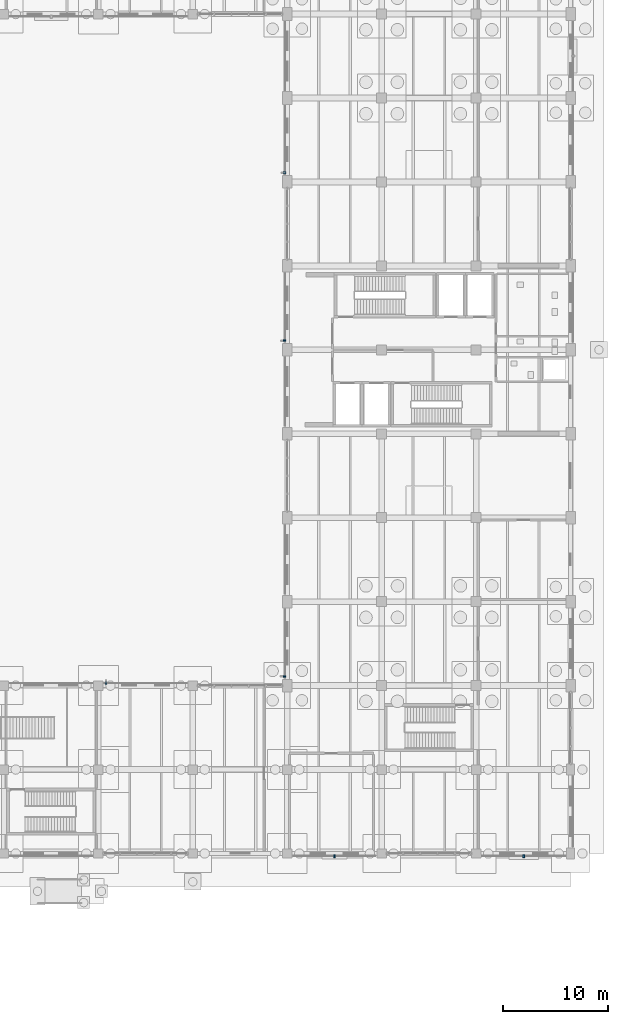
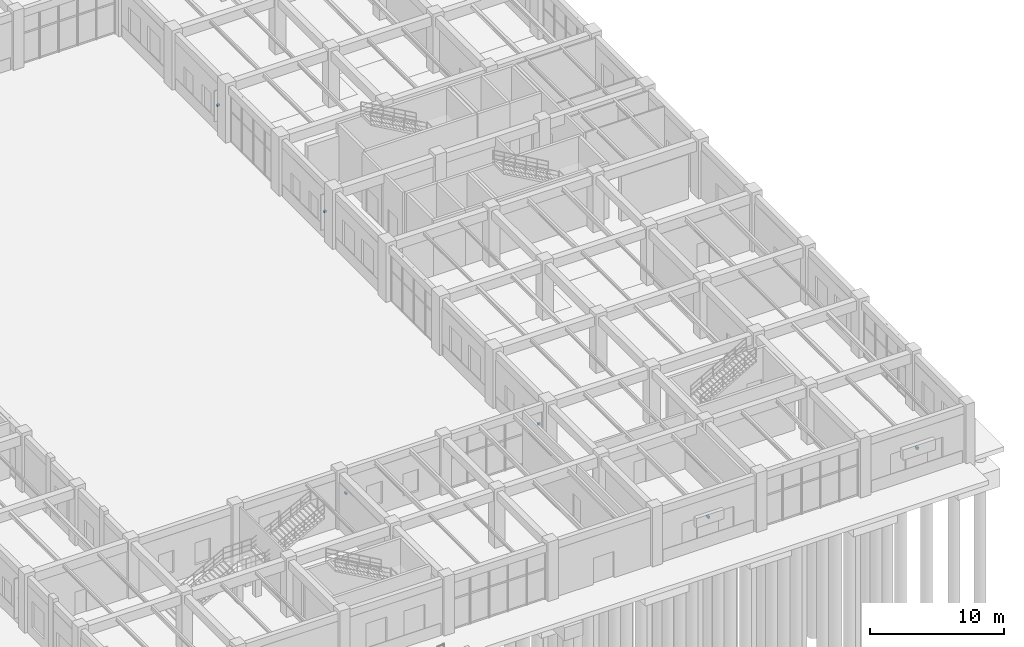
# One storey, part 108 of 121: 6 discrete accessories.
"""IFC4 building model written with IfcOpenShell, lengths in metres."""

from ifc_helpers import new_model, si_unit, derived_unit, direction, frame, origin, origin_2d, place, context, subcontext, project, spatial, rectangle, extrude, material, type_object, element, save


model = new_model("IFC4")

# Units and contexts
model_context = context("Model", 3, precision=1e-05, world=origin(), true_north=direction((0.0, 1.0)))
body_context = subcontext(model_context, "Body", "Model", "MODEL_VIEW")
ifc_project = project(units=[si_unit("LENGTHUNIT", "METRE"), si_unit("AREAUNIT", "SQUARE_METRE"), si_unit("VOLUMEUNIT", "CUBIC_METRE"), si_unit("PLANEANGLEUNIT", "RADIAN"), si_unit("MASSUNIT", "GRAM", prefix="KILO"), derived_unit("THERMALTRANSMITTANCEUNIT", [(si_unit("MASSUNIT", "GRAM", prefix="KILO"), 1), (si_unit("TIMEUNIT", "SECOND"), -3), (si_unit("THERMODYNAMICTEMPERATUREUNIT", "KELVIN"), -1)])], contexts=[model_context])

# Site, building, storey
site_placement = place(None, origin())
site = spatial("IfcSite", under=ifc_project, at=site_placement, CompositionType="ELEMENT")
building_placement = place(site_placement, origin())
building = spatial("IfcBuilding", under=site, at=building_placement, Name="Zhenchuan Archway Interchange", CompositionType="ELEMENT")
storey_placement = place(building_placement, origin())
storey = spatial("IfcBuildingStorey", under=building, at=storey_placement, Name="L00", CompositionType="ELEMENT", Elevation=0.0)

# Discrete accessories
ifc_material = material(Name="Stainless Steel 316", Category="steel")
discrete_accessory_type_1 = type_object("IfcDiscreteAccessoryType", Name="BRK_SHD_1", PredefinedType="BRACKET", material=ifc_material)
for number, where, z_axis, x_axis, name in (
    (1, (126.72802734375, 24.25, 2.4501953125), (0.0, 0.0, 1.0), (1.0, 0.0, 0.0), "Solar fin stainless fixing bracket L00-019"),
    (2, (143.75, 24.8779296875, 2.4501953125), (0.0, 0.0, 1.0), (0.0, 1.0, 0.0), "Solar fin stainless fixing bracket L00-020"),
    (3, (143.75, 56.8779296875, 2.4501953125), (0.0, 0.0, 1.0), (0.0, 1.0, 0.0), "Solar fin stainless fixing bracket L00-021"),
    (4, (143.75, 72.8779296875, 2.4501953125), (0.0, 0.0, 1.0), (0.0, 1.0, 0.0), "Solar fin stainless fixing bracket L00-022"),
):
    element("IfcDiscreteAccessory", number, at=place(storey_placement, frame(where, z_axis=z_axis, x_axis=x_axis)), inside=storey, type_object=discrete_accessory_type_1, Name=name, PredefinedType="BRACKET", context=body_context, shape_type="SweptSolid", body=[
        extrude(rectangle(XDim=0.159912109375, YDim=0.239990234375, at=origin_2d()), origin(), (0.0, 0.0, 1.0), 0.159912109375),
    ])
discrete_accessory_type_2 = type_object("IfcDiscreteAccessoryType", Name="BRK_SHD_2", PredefinedType="BRACKET", material=ifc_material)
for number, where, z_axis, x_axis, name in (
    (5, (166.53759765625, 7.75, 2.66015625), (0.0, 0.0, 1.0), (-1.0, 0.0, 0.0), "Storm-louvre stainless fixing bracket L00-015"),
    (6, (148.5, 7.75, 2.66015625), (0.0, 0.0, 1.0), (-1.0, 0.0, 0.0), "Storm-louvre stainless fixing bracket L00-016"),
):
    element("IfcDiscreteAccessory", number, at=place(storey_placement, frame(where, z_axis=z_axis, x_axis=x_axis)), inside=storey, type_object=discrete_accessory_type_2, Name=name, PredefinedType="BRACKET", context=body_context, shape_type="SweptSolid", body=[
        extrude(rectangle(XDim=0.179931640625, YDim=0.280029296875, at=origin_2d()), origin(), (0.0, 0.0, 1.0), 0.179931640625),
    ])

save(model, "model.ifc")
